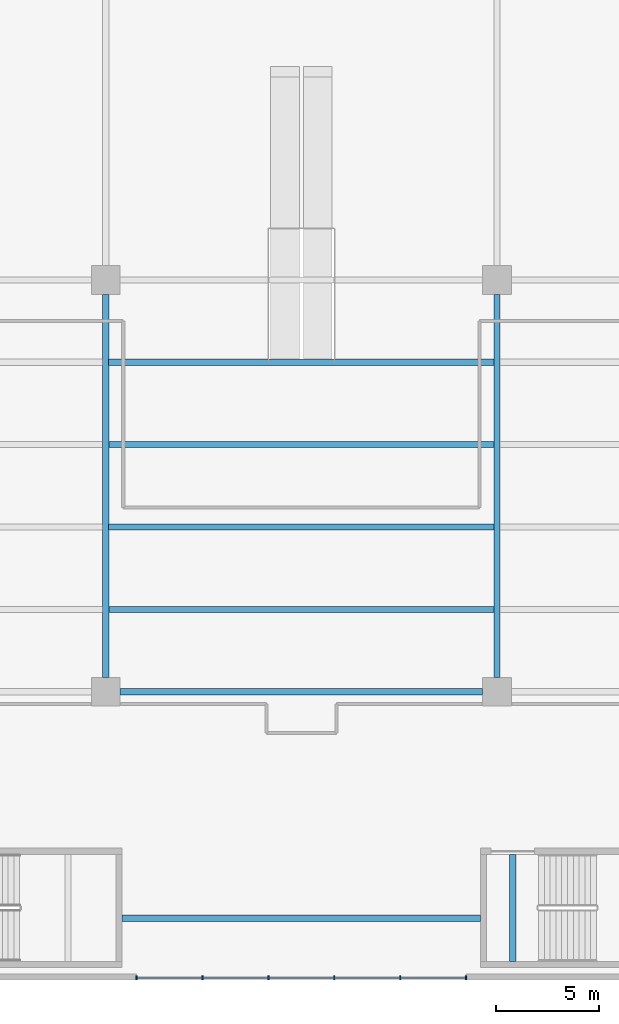
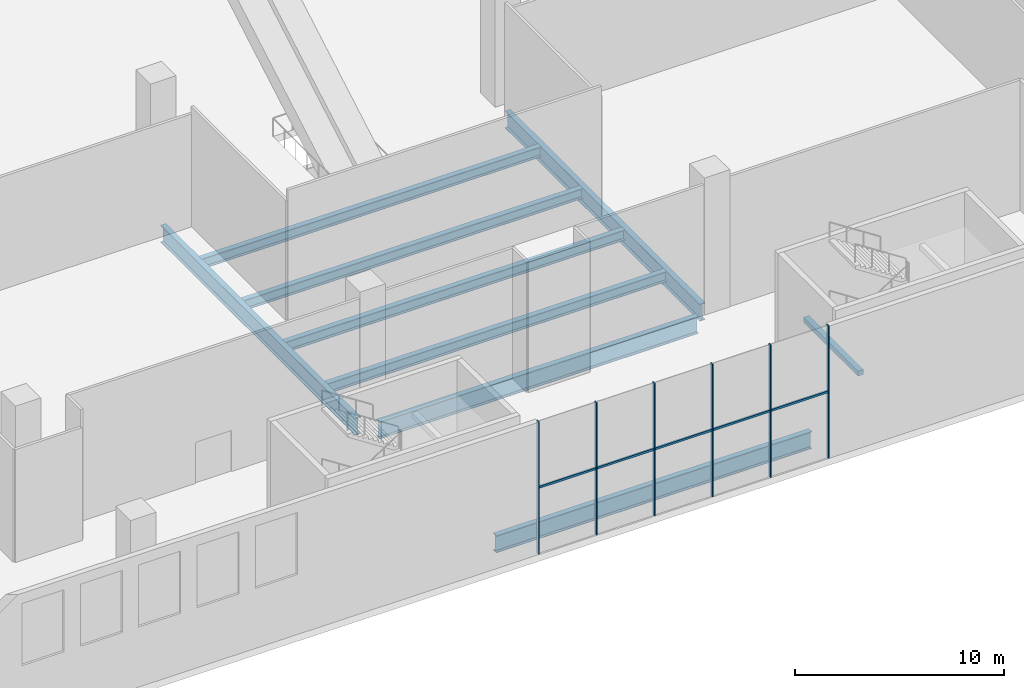
# One storey, part 2 of 27: 9 beams, 7 members, 1 element without a shape of its own.
"""IFC4 building model written with IfcOpenShell, lengths in metres."""

from ifc_helpers import new_model, si_unit, direction, frame, origin, origin_2d, place, context, subcontext, project, spatial, rectangle, i_section, extrude, material, material_profile, profile_set, type_object, element, aggregate, save


model = new_model("IFC4")

# Units and contexts
model_context = context("Model", 3, precision=1e-05, world=origin(), true_north=direction((0.0, 1.0)))
body_context = subcontext(model_context, "Body", "Model", "MODEL_VIEW")
ifc_project = project(units=[si_unit("LENGTHUNIT", "METRE"), si_unit("AREAUNIT", "SQUARE_METRE"), si_unit("VOLUMEUNIT", "CUBIC_METRE"), si_unit("PLANEANGLEUNIT", "RADIAN"), si_unit("MASSUNIT", "GRAM", prefix="KILO")], contexts=[model_context])

# Site, building, storey
site_placement = place(None, origin())
site = spatial("IfcSite", under=ifc_project, at=site_placement, CompositionType="ELEMENT")
building_placement = place(site_placement, origin())
building = spatial("IfcBuilding", under=site, at=building_placement, Name="Tel Ilan Convention Tower", CompositionType="ELEMENT")
storey_placement = place(building_placement, frame((0.0, 0.0, 18.0)))
storey = spatial("IfcBuildingStorey", under=building, at=storey_placement, Name="L02", CompositionType="ELEMENT", Elevation=18.0)

# Curtain wall, members
ifc_material_1 = material(Name="Aluminium, bronze anodised", Category="aluminium")
curtain_wall_type = type_object("IfcCurtainWallType", Name="CW3 FOYER CURTAIN WALL, CLEAR GLASS", PredefinedType="NOTDEFINED", material=ifc_material_1)
curtain_wall_placement = place(storey_placement, origin())
curtain_wall = element("IfcCurtainWall", 1, at=curtain_wall_placement, inside=storey, type_object=curtain_wall_type, Name="Curtain wall CW3-05.F01", PredefinedType="NOTDEFINED")
ifc_material_2 = material(Name="Aluminium, bronze anodised", Category="aluminium")
ifc_material_profile_1 = material_profile(ifc_material_2, rectangle(XDim=0.06005859375, YDim=0.199951171875, at=origin_2d()), Name="CW MULLION 60x200")
ifc_profile_set_1 = profile_set([ifc_material_profile_1], Name="Aluminium, bronze anodised")
member_type_1 = type_object("IfcMemberType", Name="CW MULLION 60x200", PredefinedType="MULLION", material=ifc_profile_set_1)
member_1_placement = place(storey_placement, frame((-8.0, -81.89990234375, 0.0), z_axis=(0.0, 0.0, 1.0), x_axis=(1.0, 0.0, 0.0)))
member_1 = element("IfcMember", 2, at=member_1_placement, type_object=member_type_1, Name="Mullion", PredefinedType="MULLION", context=body_context, shape_type="SweptSolid", body=[
    extrude(rectangle(XDim=0.06005859375, YDim=0.199951171875, at=origin_2d()), origin(), (0.0, 0.0, 1.0), 7.719970703125),
])
member_2_placement = place(storey_placement, frame((-4.800048828125, -81.89990234375, 0.0), z_axis=(0.0, 0.0, 1.0), x_axis=(1.0, 0.0, 0.0)))
member_2 = element("IfcMember", 3, at=member_2_placement, type_object=member_type_1, Name="Mullion", PredefinedType="MULLION", context=body_context, shape_type="SweptSolid", body=[
    extrude(rectangle(XDim=0.06005859375, YDim=0.199951171875, at=origin_2d()), origin(), (0.0, 0.0, 1.0), 7.719970703125),
])
member_3_placement = place(storey_placement, frame((-1.60009765625, -81.89990234375, 0.0), z_axis=(0.0, 0.0, 1.0), x_axis=(1.0, 0.0, 0.0)))
member_3 = element("IfcMember", 4, at=member_3_placement, type_object=member_type_1, Name="Mullion", PredefinedType="MULLION", context=body_context, shape_type="SweptSolid", body=[
    extrude(rectangle(XDim=0.06005859375, YDim=0.199951171875, at=origin_2d()), origin(), (0.0, 0.0, 1.0), 7.719970703125),
])
member_4_placement = place(storey_placement, frame((1.60009765625, -81.89990234375, 0.0), z_axis=(0.0, 0.0, 1.0), x_axis=(1.0, 0.0, 0.0)))
member_4 = element("IfcMember", 5, at=member_4_placement, type_object=member_type_1, Name="Mullion", PredefinedType="MULLION", context=body_context, shape_type="SweptSolid", body=[
    extrude(rectangle(XDim=0.06005859375, YDim=0.199951171875, at=origin_2d()), origin(), (0.0, 0.0, 1.0), 7.719970703125),
])
member_5_placement = place(storey_placement, frame((4.800048828125, -81.89990234375, 0.0), z_axis=(0.0, 0.0, 1.0), x_axis=(1.0, 0.0, 0.0)))
member_5 = element("IfcMember", 6, at=member_5_placement, type_object=member_type_1, Name="Mullion", PredefinedType="MULLION", context=body_context, shape_type="SweptSolid", body=[
    extrude(rectangle(XDim=0.06005859375, YDim=0.199951171875, at=origin_2d()), origin(), (0.0, 0.0, 1.0), 7.719970703125),
])
member_6_placement = place(storey_placement, frame((8.0, -81.89990234375, 0.0), z_axis=(0.0, 0.0, 1.0), x_axis=(1.0, 0.0, 0.0)))
member_6 = element("IfcMember", 7, at=member_6_placement, type_object=member_type_1, Name="Mullion", PredefinedType="MULLION", context=body_context, shape_type="SweptSolid", body=[
    extrude(rectangle(XDim=0.06005859375, YDim=0.199951171875, at=origin_2d()), origin(), (0.0, 0.0, 1.0), 7.719970703125),
])
ifc_material_3 = material(Name="Aluminium, bronze anodised", Category="aluminium")
ifc_material_profile_2 = material_profile(ifc_material_3, rectangle(XDim=0.10009765625, YDim=0.1201171875, at=origin_2d()), Name="CW TRANSOM 100x120")
ifc_profile_set_2 = profile_set([ifc_material_profile_2], Name="Aluminium, bronze anodised")
member_type_2 = type_object("IfcMemberType", Name="CW TRANSOM 100x120", PredefinedType="USERDEFINED", material=ifc_profile_set_2)
member_7_placement = place(storey_placement, frame((-7.969970703125, -81.89990234375, 3.860107421875), z_axis=(1.0, 0.0, 0.0), x_axis=(0.0, 1.0, 0.0)))
member_7 = element("IfcMember", 8, at=member_7_placement, type_object=member_type_2, Name="Transom", ObjectType="TRANSOM", PredefinedType="USERDEFINED", context=body_context, shape_type="SweptSolid", body=[
    extrude(rectangle(XDim=0.10009765625, YDim=0.1201171875, at=origin_2d()), origin(), (0.0, 0.0, 1.0), 15.93994140625),
])
aggregate(curtain_wall, [member_1, member_2, member_3, member_4, member_5, member_6, member_7])

# Beams
ifc_material_4 = material(Name="Steel S355", Category="steel")
ifc_material_profile_3 = material_profile(ifc_material_4, i_section(OverallWidth=0.300048828125, OverallDepth=1.0, WebThickness=0.01904296875, FlangeThickness=0.035888671875, FilletRadius=0.030029296875, at=origin_2d()), Name="HEB 1000")
ifc_profile_set_3 = profile_set([ifc_material_profile_3], Name="Steel S355")
beam_type_1 = type_object("IfcBeamType", Name="Girder HEB 1000 Steel S355", PredefinedType="BEAM", material=ifc_profile_set_3)
beam_1_placement = place(storey_placement, frame((-8.800048828125, -68.0, -0.89990234375), z_axis=(1.0, 0.0, 0.0), x_axis=(0.0, 1.0, 0.0)))
element("IfcBeam", 9, at=beam_1_placement, inside=storey, type_object=beam_type_1, Name="L02 beam GX23-4", PredefinedType="BEAM", context=body_context, shape_type="SweptSolid", body=[
    extrude(i_section(OverallWidth=0.300048828125, OverallDepth=1.0, WebThickness=0.01904296875, FlangeThickness=0.035888671875, FilletRadius=0.030029296875, at=origin_2d()), origin(), (0.0, 0.0, 1.0), 17.60009765625),
])
for number, where, z_axis, x_axis, name in (
    (10, (-9.5, -67.300048828125, -0.89990234375), (0.0, 1.0, 0.0), (-1.0, 0.0, 0.0), "L02 beam GY32-3"),
    (11, (9.5, -67.300048828125, -0.89990234375), (0.0, 1.0, 0.0), (-1.0, 0.0, 0.0), "L02 beam GY42-3"),
):
    element("IfcBeam", number, at=place(storey_placement, frame(where, z_axis=z_axis, x_axis=x_axis)), inside=storey, type_object=beam_type_1, Name=name, PredefinedType="BEAM", context=body_context, shape_type="SweptSolid", body=[
        extrude(i_section(OverallWidth=0.300048828125, OverallDepth=1.0, WebThickness=0.01904296875, FlangeThickness=0.035888671875, FilletRadius=0.030029296875, at=origin_2d()), origin(), (0.0, 0.0, 1.0), 18.60009765625),
    ])
beam_2_placement = place(storey_placement, frame((-8.699951171875, -79.0, -0.89990234375), z_axis=(1.0, 0.0, 0.0), x_axis=(0.0, 1.0, 0.0)))
element("IfcBeam", 12, at=beam_2_placement, inside=storey, type_object=beam_type_1, Name="L02 beam GS21", PredefinedType="BEAM", context=body_context, shape_type="SweptSolid", body=[
    extrude(i_section(OverallWidth=0.300048828125, OverallDepth=1.0, WebThickness=0.01904296875, FlangeThickness=0.035888671875, FilletRadius=0.030029296875, at=origin_2d()), origin(), (0.0, 0.0, 1.0), 17.39990234375),
])
ifc_material_5 = material(Name="Steel S355", Category="steel")
ifc_material_profile_4 = material_profile(ifc_material_5, i_section(OverallWidth=0.300048828125, OverallDepth=0.60009765625, WebThickness=0.015380859375, FlangeThickness=0.030029296875, FilletRadius=0.027099609375, at=origin_2d()), Name="HEB 600")
ifc_profile_set_4 = profile_set([ifc_material_profile_4], Name="Steel S355")
beam_type_2 = type_object("IfcBeamType", Name="Joist HEB 600 Steel S355", PredefinedType="JOIST", material=ifc_profile_set_4)
for number, where, z_axis, x_axis, name in (
    (13, (-9.360107421875, -64.0, -0.699951171875), (1.0, 0.0, 0.0), (0.0, 1.0, 0.0), "L02 beam J3--68-1"),
    (14, (-9.360107421875, -60.0, -0.699951171875), (1.0, 0.0, 0.0), (0.0, 1.0, 0.0), "L02 beam J3--68-2"),
    (15, (-9.360107421875, -56.0, -0.699951171875), (1.0, 0.0, 0.0), (0.0, 1.0, 0.0), "L02 beam J3--68-3"),
    (16, (-9.360107421875, -52.0, -0.699951171875), (1.0, 0.0, 0.0), (0.0, 1.0, 0.0), "L02 beam J3--68-4"),
):
    element("IfcBeam", number, at=place(storey_placement, frame(where, z_axis=z_axis, x_axis=x_axis)), inside=storey, type_object=beam_type_2, Name=name, PredefinedType="JOIST", context=body_context, shape_type="SweptSolid", body=[
        extrude(i_section(OverallWidth=0.300048828125, OverallDepth=0.60009765625, WebThickness=0.015380859375, FlangeThickness=0.030029296875, FilletRadius=0.027099609375, at=origin_2d()), origin(), (0.0, 0.0, 1.0), 18.72021484375),
    ])
ifc_material_6 = material(Name="Concrete C40/50", Category="concrete")
ifc_material_profile_5 = material_profile(ifc_material_6, rectangle(XDim=0.300048828125, YDim=0.300048828125, at=origin_2d()), Name="RC 300x300")
ifc_profile_set_5 = profile_set([ifc_material_profile_5], Name="Concrete C40/50")
beam_type_3 = type_object("IfcBeamType", Name="Landing Beam RC 300x300 Concrete C40/50", PredefinedType="BEAM", material=ifc_profile_set_5)
beam_3_placement = place(storey_placement, frame((10.262939453125, -81.10009765625, 3.64990234375), z_axis=(0.0, 1.0, 0.0), x_axis=(-1.0, 0.0, 0.0)))
element("IfcBeam", 17, at=beam_3_placement, inside=storey, type_object=beam_type_3, Name="P3 landing beam L02.2", PredefinedType="BEAM", context=body_context, shape_type="SweptSolid", body=[
    extrude(rectangle(XDim=0.300048828125, YDim=0.300048828125, at=origin_2d()), origin(), (0.0, 0.0, 1.0), 5.2001953125),
])

save(model, "model.ifc")
